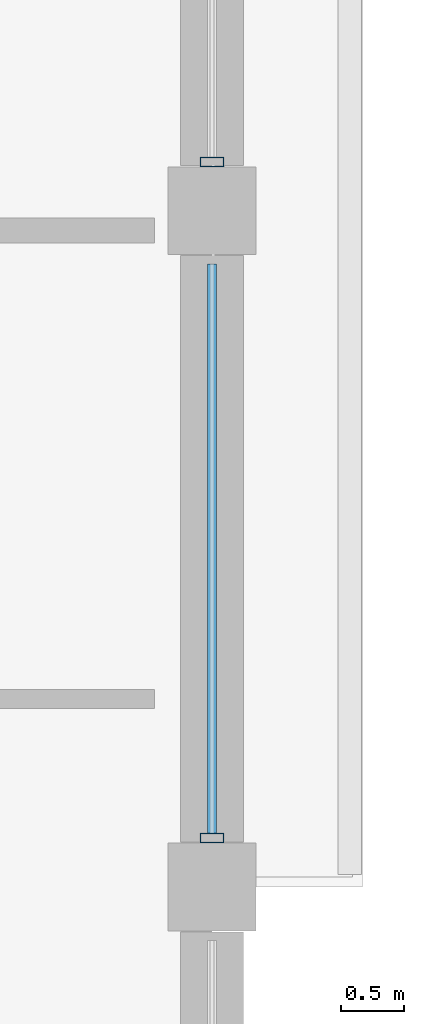
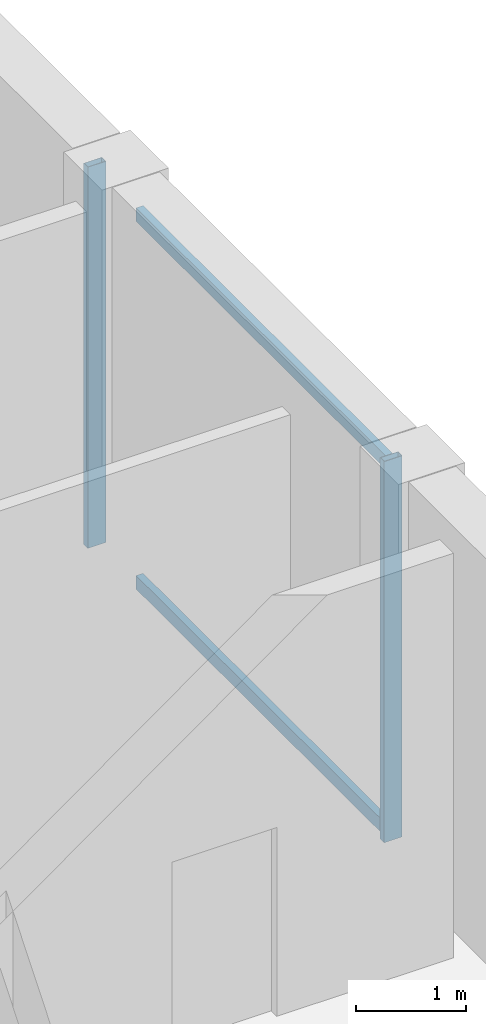
# One storey, part 9 of 18: 4 members, 1 element without a shape of its own.
"""IFC4 building model written with IfcOpenShell, lengths in metres."""

import ifcopenshell
import ifcopenshell.guid

model = None  # the IFC model being written
_history = None  # IfcOwnerHistory: only IFC2X3 demands one
_inside = {}  # id of a spatial element -> (the spatial element, [elements in it])
_under = {}  # id of a project, library or spatial element -> (it, [spatial elements below it])
_declared = {}  # id of a project -> (the project, [libraries it declares])
_typed = {}  # id of a type object -> (the type object, [elements of that type])
_made_of = {}  # id of a material, layer set ... -> (it, [elements and type objects made of it])


def new_model(schema):
    """Start an empty IFC model of exactly this schema.

    Asked for "IFC4X3", IfcOpenShell would pick the latest addendum, in which some entities
    have other attributes; the version numbers below select the first issue.
    IFC2X3 requires an IfcOwnerHistory on every rooted entity: one is made here for all.
    """
    global model, _history
    if schema == "IFC4X3":
        model = ifcopenshell.file(schema_version=(4, 3, 0, 0))
    else:
        model = ifcopenshell.file(schema=schema)
    _inside.clear()
    _under.clear()
    _declared.clear()
    _typed.clear()
    _made_of.clear()
    _history = None
    if model.schema == "IFC2X3":
        org = make("IfcOrganization", Name="unknown")
        user = make(
            "IfcPersonAndOrganization",
            ThePerson=make("IfcPerson", FamilyName="unknown"),
            TheOrganization=org,
        )
        app = make(
            "IfcApplication",
            ApplicationDeveloper=org,
            Version="unknown",
            ApplicationFullName="unknown",
            ApplicationIdentifier="unknown",
        )
        _history = make(
            "IfcOwnerHistory",
            OwningUser=user,
            OwningApplication=app,
            ChangeAction="ADDED",
            CreationDate=0,
        )
    return model


def make(cls, **values):
    """One entity of the class cls with the attributes given. An attribute that is None is left unset."""
    return model.create_entity(
        cls, **{name: value for name, value in values.items() if value is not None}
    )


def rooted(cls, **values):
    """An entity with a GlobalId (a new one), such as an element, a storey or a relation."""
    return make(cls, GlobalId=ifcopenshell.guid.new(), OwnerHistory=_history, **values)


def si_unit(unit_type, name, prefix=None):
    """IfcSIUnit, for example si_unit("LENGTHUNIT", "METRE", prefix="MILLI")."""
    return make("IfcSIUnit", UnitType=unit_type, Prefix=prefix, Name=name)


def assignment(units):
    """IfcUnitAssignment: the units of a project."""
    return None if units is None else make("IfcUnitAssignment", Units=units)


def point(xyz):
    """IfcCartesianPoint."""
    return None if xyz is None else make("IfcCartesianPoint", Coordinates=xyz)


def direction(xyz):
    """IfcDirection."""
    return None if xyz is None else make("IfcDirection", DirectionRatios=xyz)


def frame(location, z_axis=None, x_axis=None):
    """IfcAxis2Placement3D, a coordinate frame: its origin and axes. An axis left out is left unset."""
    return make(
        "IfcAxis2Placement3D",
        Location=point(location),
        Axis=direction(z_axis),
        RefDirection=direction(x_axis),
    )


def frame_2d(location, x_axis=None):
    """IfcAxis2Placement2D, a coordinate frame in the plane: its origin and x axis."""
    return make(
        "IfcAxis2Placement2D", Location=point(location), RefDirection=direction(x_axis)
    )


def origin():
    """The frame at (0, 0, 0) with its axes left unset."""
    return frame((0.0, 0.0, 0.0))


def origin_2d():
    """The frame at (0, 0) in the plane with its x axis left unset."""
    return frame_2d((0.0, 0.0))


def place(relative_to, where):
    """IfcLocalPlacement: puts the frame where relative to a parent placement (None: the world)."""
    return make(
        "IfcLocalPlacement", PlacementRelTo=relative_to, RelativePlacement=where
    )


def context(
    kind, dimensions, precision=None, world=None, true_north=None, identifier=None
):
    """IfcGeometricRepresentationContext, for example the 3D "Model" context."""
    return make(
        "IfcGeometricRepresentationContext",
        ContextIdentifier=identifier,
        ContextType=kind,
        CoordinateSpaceDimension=dimensions,
        Precision=precision,
        WorldCoordinateSystem=world,
        TrueNorth=true_north,
    )


def subcontext(parent, identifier, kind, view, scale=None):
    """IfcGeometricRepresentationSubContext, for example "Body" below "Model"."""
    return make(
        "IfcGeometricRepresentationSubContext",
        ContextIdentifier=identifier,
        ContextType=kind,
        ParentContext=parent,
        TargetScale=scale,
        TargetView=view,
    )


def project(units=None, contexts=None):
    """IfcProject with its units and contexts."""
    return rooted(
        "IfcProject",
        Name="project",
        RepresentationContexts=contexts,
        UnitsInContext=assignment(units),
    )


def spatial(cls, under=None, at=None, **own):
    """A site, building, storey or space (cls), placed at a placement, below another one or the project."""
    s = rooted(cls, ObjectPlacement=at, **own)
    if under is not None:
        _under.setdefault(under.id(), (under, []))[1].append(s)
    return s


def profile(cls, at=None, kind="AREA", **sizes):
    """A parametric profile (cls). Its sizes go by their IFC names, for example OverallWidth=200.0."""
    return make(cls, ProfileType=kind, Position=at, **sizes)


def hollow_rectangle(**sizes):
    """IfcRectangleHollowProfileDef."""
    return profile("IfcRectangleHollowProfileDef", **sizes)


def extrude(swept, where, along, depth):
    """IfcExtrudedAreaSolid: the profile swept, set in the frame where, extruded along a direction by depth."""
    return make(
        "IfcExtrudedAreaSolid",
        SweptArea=swept,
        Position=where,
        ExtrudedDirection=direction(along),
        Depth=depth,
    )


def shape(context_of_items, identifier, shape_type, items):
    """IfcShapeRepresentation: the items that make up one representation, for example the "Body"."""
    return make(
        "IfcShapeRepresentation",
        ContextOfItems=context_of_items,
        RepresentationIdentifier=identifier,
        RepresentationType=shape_type,
        Items=items,
    )


def material(Name=None, Category=None):
    """IfcMaterial."""
    return make("IfcMaterial", Name=Name, Category=Category)


def layer(
    of_material, thickness, ventilated=None, Name=None, Category=None, Priority=None
):
    """IfcMaterialLayer: one layer of a wall or slab, of a material (None: an air gap)."""
    return make(
        "IfcMaterialLayer",
        Material=of_material,
        LayerThickness=thickness,
        IsVentilated=ventilated,
        Name=Name,
        Category=Category,
        Priority=Priority,
    )


def layer_set(layers, Name=None):
    """IfcMaterialLayerSet."""
    return make("IfcMaterialLayerSet", MaterialLayers=layers, LayerSetName=Name)


def material_profile(
    of_material, cross_section, Name=None, Category=None, Priority=None
):
    """IfcMaterialProfile: a cross section and its material."""
    return make(
        "IfcMaterialProfile",
        Name=Name,
        Material=of_material,
        Profile=cross_section,
        Priority=Priority,
        Category=Category,
    )


def profile_set(profiles, Name=None, composite=None):
    """IfcMaterialProfileSet."""
    return make(
        "IfcMaterialProfileSet",
        Name=Name,
        MaterialProfiles=profiles,
        CompositeProfile=composite,
    )


def made_of(thing, what):
    """Note that an element or type object is made of a material, layer set ...; save() writes the relation."""
    if what is not None:
        _made_of.setdefault(what.id(), (what, []))[1].append(thing)
    return thing


def type_object(cls, material=None, **own):
    """A type object (cls), such as IfcWallType, which elements share."""
    return made_of(rooted(cls, **own), material)


def element(
    cls,
    number,
    at=None,
    inside=None,
    cuts=None,
    type_object=None,
    material=None,
    context=None,
    identifier="Body",
    shape_type=None,
    held_by="IfcProductDefinitionShape",
    body=None,
    shapes=None,
    **own,
):
    """One element of the class cls, such as IfcWall. Its Tag is "e" and its number.

    at: its placement. inside: the storey or other place that contains it. cuts: it is an
    opening in that element (IfcRelVoidsElement). A single representation is given by context,
    identifier, shape_type and body (its items); several are given by shapes. held_by: the class
    of the entity that holds the representations. save() writes the other relations.
    """
    e = rooted(cls, Tag="e%d" % number, ObjectPlacement=at, **own)
    if body is not None:
        shapes = [shape(context, identifier, shape_type, body)]
    if shapes is not None:
        e.Representation = make(held_by, Representations=shapes)
    if inside is not None:
        _inside.setdefault(inside.id(), (inside, []))[1].append(e)
    if cuts is not None:
        rooted(
            "IfcRelVoidsElement", RelatingBuildingElement=cuts, RelatedOpeningElement=e
        )
    if type_object is not None:
        _typed.setdefault(type_object.id(), (type_object, []))[1].append(e)
    return made_of(e, material)


def aggregate(whole, parts):
    """IfcRelAggregates: a whole, such as a stair, and the parts it consists of."""
    return rooted("IfcRelAggregates", RelatingObject=whole, RelatedObjects=parts)


def save(model, path):
    """Write the relations noted so far, then the file.

    IfcRelAggregates (storeys below a building ...), IfcRelContainedInSpatialStructure (elements
    in a storey), IfcRelDefinesByType, IfcRelAssociatesMaterial and IfcRelDeclares: one each for
    every whole, place, type object, material and project.
    """
    for whole, parts in _under.values():
        aggregate(whole, parts)
    for where, things in _inside.values():
        rooted(
            "IfcRelContainedInSpatialStructure",
            RelatedElements=things,
            RelatingStructure=where,
        )
    for kind, things in _typed.values():
        rooted("IfcRelDefinesByType", RelatedObjects=things, RelatingType=kind)
    for what, things in _made_of.values():
        rooted("IfcRelAssociatesMaterial", RelatedObjects=things, RelatingMaterial=what)
    for by, libraries in _declared.values():
        rooted("IfcRelDeclares", RelatingContext=by, RelatedDefinitions=libraries)
    model.write(path)


model = new_model("IFC4")

# Units and contexts
model_context = context("Model", 3, precision=1e-05, world=origin(), true_north=direction((0.0, 1.0)))
body_context = subcontext(model_context, "Body", "Model", "MODEL_VIEW")
ifc_project = project(units=[si_unit("LENGTHUNIT", "METRE"), si_unit("AREAUNIT", "SQUARE_METRE"), si_unit("VOLUMEUNIT", "CUBIC_METRE"), si_unit("PLANEANGLEUNIT", "RADIAN"), si_unit("MASSUNIT", "GRAM", prefix="KILO")], contexts=[model_context])

# Site, building, storey
site_placement = place(None, origin())
site = spatial("IfcSite", under=ifc_project, at=site_placement, CompositionType="ELEMENT")
building_placement = place(site_placement, origin())
building = spatial("IfcBuilding", under=site, at=building_placement, Name="Surkhivell Harbour Commons", CompositionType="ELEMENT")
storey_placement = place(building_placement, frame((0.0, 0.0, 360.0)))
storey = spatial("IfcBuildingStorey", under=building, at=storey_placement, Name="L93", CompositionType="ELEMENT", Elevation=360.0)

# Curtain wall, members
ifc_material_1 = material(Name="Anodised pale-metal aluminium and insulated glazing", Category="aluminium")
ifc_layer = layer(ifc_material_1, 0.22998046875)
ifc_layer_set = layer_set([ifc_layer], Name="Anodised pale-metal aluminium and insulated glazing")
curtain_wall_type = type_object("IfcCurtainWallType", Name="CW-SYS-CRN", PredefinedType="NOTDEFINED", material=ifc_layer_set)
curtain_wall_placement = place(storey_placement, origin())
curtain_wall = element("IfcCurtainWall", 1, at=curtain_wall_placement, inside=storey, type_object=curtain_wall_type, Name="L93 Curtain Wall CW-L93-C01S1", PredefinedType="NOTDEFINED")
ifc_material_2 = material(Name="Anodised pale-metal aluminium alloy 6063-T6", Category="aluminium")
ifc_material_profile_1 = material_profile(ifc_material_2, hollow_rectangle(XDim=0.074951171875, YDim=0.18994140625, WallThickness=0.00390625, at=origin_2d()), Name="ALU-MULL-75x190")
ifc_profile_set_1 = profile_set([ifc_material_profile_1], Name="Anodised pale-metal aluminium alloy 6063-T6")
member_type_1 = type_object("IfcMemberType", Name="CWM-190", PredefinedType="MULLION", material=ifc_profile_set_1)
member_1_placement = place(storey_placement, frame((10.800048828125, 0.389404296875, 0.0), z_axis=(0.0, 0.0, 1.0), x_axis=(0.0, 1.0, 0.0)))
member_1 = element("IfcMember", 2, at=member_1_placement, type_object=member_type_1, Name="CW-CRN mullion 3", PredefinedType="MULLION", context=body_context, shape_type="SweptSolid", body=[
    extrude(hollow_rectangle(XDim=0.074951171875, YDim=0.18994140625, WallThickness=0.00390625, at=origin_2d()), origin(), (0.0, 0.0, 1.0), 4.239990234375),
])
member_2_placement = place(storey_placement, frame((10.800048828125, 5.78955078125, 0.0), z_axis=(0.0, 0.0, 1.0), x_axis=(0.0, 1.0, 0.0)))
member_2 = element("IfcMember", 3, at=member_2_placement, type_object=member_type_1, Name="CW-CRN mullion 4", PredefinedType="MULLION", context=body_context, shape_type="SweptSolid", body=[
    extrude(hollow_rectangle(XDim=0.074951171875, YDim=0.18994140625, WallThickness=0.00390625, at=origin_2d()), origin(), (0.0, 0.0, 1.0), 4.239990234375),
])
ifc_material_profile_2 = material_profile(ifc_material_2, hollow_rectangle(XDim=0.074951171875, YDim=0.14990234375, WallThickness=0.00341796875, at=origin_2d()), Name="ALU-TRAN-75x150")
ifc_profile_set_2 = profile_set([ifc_material_profile_2], Name="Anodised pale-metal aluminium alloy 6063-T6")
member_type_2 = type_object("IfcMemberType", Name="CWT-150", PredefinedType="USERDEFINED", material=ifc_profile_set_2)
member_3_placement = place(storey_placement, frame((10.800048828125, 0.427001953125, 0.074951171875), z_axis=(0.0, 1.0, 0.0), x_axis=(-1.0, 0.0, 0.0)))
member_3 = element("IfcMember", 4, at=member_3_placement, type_object=member_type_2, Name="CW-CRN transom 3.1", ObjectType="TRANSOM", PredefinedType="USERDEFINED", context=body_context, shape_type="SweptSolid", body=[
    extrude(hollow_rectangle(XDim=0.074951171875, YDim=0.14990234375, WallThickness=0.00341796875, at=origin_2d()), origin(), (0.0, 0.0, 1.0), 4.5458984375),
])
member_4_placement = place(storey_placement, frame((10.800048828125, 0.427001953125, 4.1650390625), z_axis=(0.0, 1.0, 0.0), x_axis=(-1.0, 0.0, 0.0)))
member_4 = element("IfcMember", 5, at=member_4_placement, type_object=member_type_2, Name="CW-CRN transom 3.2", ObjectType="TRANSOM", PredefinedType="USERDEFINED", context=body_context, shape_type="SweptSolid", body=[
    extrude(hollow_rectangle(XDim=0.074951171875, YDim=0.14990234375, WallThickness=0.00341796875, at=origin_2d()), origin(), (0.0, 0.0, 1.0), 4.5458984375),
])
aggregate(curtain_wall, [member_1, member_3, member_4, member_2])

save(model, "model.ifc")
